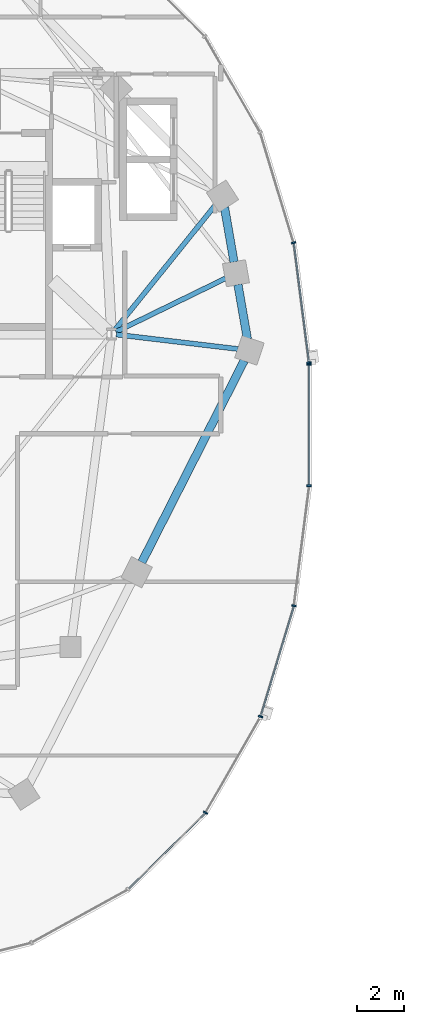
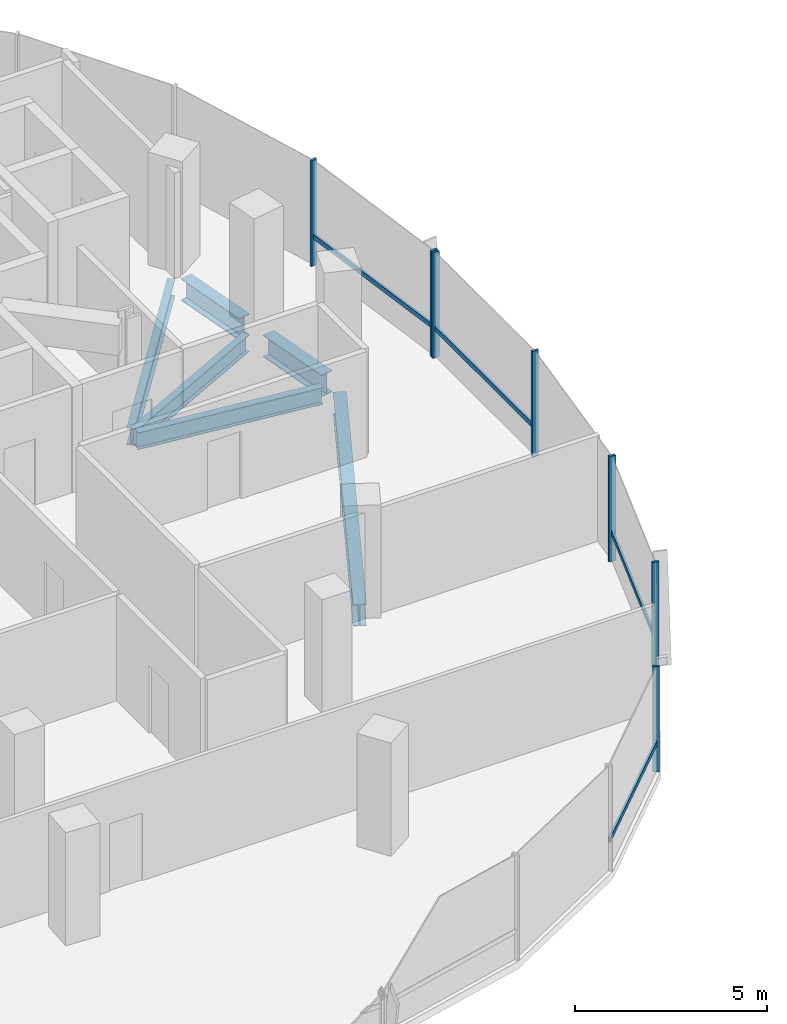
# One storey, part 4 of 23: 11 members, 6 beams, 2 elements without a shape of their own.
"""IFC4 building model written with IfcOpenShell, lengths in metres."""

from ifc_helpers import new_model, si_unit, direction, frame, origin, origin_2d, place, context, subcontext, project, spatial, rectangle, i_section, extrude, material, material_profile, profile_set, type_object, element, aggregate, save


model = new_model("IFC4")

# Units and contexts
model_context = context("Model", 3, precision=1e-05, world=origin(), true_north=direction((0.0, 1.0)))
body_context = subcontext(model_context, "Body", "Model", "MODEL_VIEW")
ifc_project = project(units=[si_unit("LENGTHUNIT", "METRE"), si_unit("AREAUNIT", "SQUARE_METRE"), si_unit("VOLUMEUNIT", "CUBIC_METRE"), si_unit("PLANEANGLEUNIT", "RADIAN"), si_unit("MASSUNIT", "GRAM", prefix="KILO"), si_unit("THERMODYNAMICTEMPERATUREUNIT", "KELVIN"), si_unit("POWERUNIT", "WATT")], contexts=[model_context])

# Site, building, storey
site_placement = place(None, origin())
site = spatial("IfcSite", under=ifc_project, at=site_placement, CompositionType="ELEMENT")
building_placement = place(site_placement, origin())
building = spatial("IfcBuilding", under=site, at=building_placement, Name="Cundina Bronze Exchange", CompositionType="ELEMENT")
storey_placement = place(building_placement, frame((0.0, 0.0, 169.199951171875)))
storey = spatial("IfcBuildingStorey", under=building, at=storey_placement, Name="L44", CompositionType="ELEMENT", Elevation=169.199951171875)

# Beams
ifc_material_1 = material(Name="Steel ASTM A992 Grade 50", Category="steel")
ifc_material_profile_1 = material_profile(ifc_material_1, i_section(OverallWidth=0.2119140625, OverallDepth=0.5439453125, WebThickness=0.01318359375, FlangeThickness=0.021240234375, FilletRadius=0.013916015625, at=origin_2d()), Name="W21X83", Category="steel")
ifc_profile_set_1 = profile_set([ifc_material_profile_1], Name="Steel ASTM A992 Grade 50")
beam_type_1 = type_object("IfcBeamType", Name="BM-FLR-W21A", PredefinedType="BEAM", material=ifc_profile_set_1)
beam_1_placement = place(storey_placement, frame((-21.247314453125, 3.8759765625, -0.511962890625), z_axis=(0.993036158382, -0.11780996624, 0.0), x_axis=(0.11780996624, 0.993036158382, 0.0)))
element("IfcBeam", 1, at=beam_1_placement, inside=storey, type_object=beam_type_1, Name="L44 Leg W Radial Floor Beam 00", PredefinedType="BEAM", context=body_context, shape_type="SweptSolid", body=[
    extrude(i_section(OverallWidth=0.2119140625, OverallDepth=0.5439453125, WebThickness=0.01318359375, FlangeThickness=0.021240234375, FilletRadius=0.013916015625, at=origin_2d()), origin(), (0.0, 0.0, 1.0), 5.249267578125),
])
beam_2_placement = place(storey_placement, frame((-21.2666015625, 3.989501953125, -0.511962890625), z_axis=(0.898604300669, 0.438759969481, 0.0), x_axis=(-0.438759969481, 0.898604300669, 0.0)))
element("IfcBeam", 2, at=beam_2_placement, inside=storey, type_object=beam_type_1, Name="L44 Leg W Radial Floor Beam 01", PredefinedType="BEAM", context=body_context, shape_type="SweptSolid", body=[
    extrude(i_section(OverallWidth=0.2119140625, OverallDepth=0.5439453125, WebThickness=0.01318359375, FlangeThickness=0.021240234375, FilletRadius=0.013916015625, at=origin_2d()), origin(), (0.0, 0.0, 1.0), 5.23388671875),
])
beam_3_placement = place(storey_placement, frame((-21.322021484375, 4.058837890625, -0.511962890625), z_axis=(0.627088684379, 0.778947868553, 0.0), x_axis=(-0.778947868553, 0.627088684379, 0.0)))
element("IfcBeam", 3, at=beam_3_placement, inside=storey, type_object=beam_type_1, Name="L44 Leg W Radial Floor Beam 02", PredefinedType="BEAM", context=body_context, shape_type="SweptSolid", body=[
    extrude(i_section(OverallWidth=0.2119140625, OverallDepth=0.5439453125, WebThickness=0.01318359375, FlangeThickness=0.021240234375, FilletRadius=0.013916015625, at=origin_2d()), origin(), (0.0, 0.0, 1.0), 6.882568359375),
])
ifc_material_profile_2 = material_profile(ifc_material_1, i_section(OverallWidth=0.35498046875, OverallDepth=0.695068359375, WebThickness=0.015380859375, FlangeThickness=0.02490234375, FilletRadius=0.01806640625, at=origin_2d()), Name="W27X146", Category="steel")
ifc_profile_set_2 = profile_set([ifc_material_profile_2], Name="Steel ASTM A992 Grade 50")
beam_type_2 = type_object("IfcBeamType", Name="BM-RING-W27", PredefinedType="USERDEFINED", material=ifc_profile_set_2)
for number, where, z_axis, x_axis, name in (
    (4, (-15.6337890625, 3.680908203125, -0.58740234375), (-0.171666718895, 0.985155083032, 0.0), (-0.985155083032, -0.171666718895, 0.0), "L44 W Perimeter Ring Girder 00"),
    (5, (-16.208740234375, 6.980712890625, -0.58740234375), (-0.171666718895, 0.985155083032, 0.0), (-0.985155083032, -0.171666718895, 0.0), "L44 W Perimeter Ring Girder 01"),
):
    element("IfcBeam", number, at=place(storey_placement, frame(where, z_axis=z_axis, x_axis=x_axis)), inside=storey, type_object=beam_type_2, Name=name, ObjectType="GIRDER", PredefinedType="USERDEFINED", context=body_context, shape_type="SweptSolid", body=[
        extrude(i_section(OverallWidth=0.35498046875, OverallDepth=0.695068359375, WebThickness=0.015380859375, FlangeThickness=0.02490234375, FilletRadius=0.01806640625, at=origin_2d()), origin(), (0.0, 0.0, 1.0), 2.37353515625),
    ])
beam_4_placement = place(storey_placement, frame((-20.154052734375, -5.864990234375, -0.58740234375), z_axis=(0.452834585354, 0.891594548159, 0.0), x_axis=(-0.891594548159, 0.452834585354, 0.0)))
element("IfcBeam", 6, at=beam_4_placement, inside=storey, type_object=beam_type_2, Name="L44 W Perimeter Ring Girder 13", ObjectType="GIRDER", PredefinedType="USERDEFINED", context=body_context, shape_type="SweptSolid", body=[
    extrude(i_section(OverallWidth=0.35498046875, OverallDepth=0.695068359375, WebThickness=0.015380859375, FlangeThickness=0.02490234375, FilletRadius=0.01806640625, at=origin_2d()), origin(), (0.0, 0.0, 1.0), 9.67919921875),
])

# Curtain wall, members
ifc_material_2 = material(Name="Anodised Bronze Aluminium 6063-T6", Category="aluminium")
curtain_wall_type = type_object("IfcCurtainWallType", Name="CWS-WST-PIN", PredefinedType="NOTDEFINED", material=ifc_material_2)
curtain_wall_1_placement = place(storey_placement, origin())
curtain_wall_1 = element("IfcCurtainWall", 7, at=curtain_wall_1_placement, inside=storey, type_object=curtain_wall_type, Name="L44 CW-04 Curtain Wall Run CWR-L44-W1", PredefinedType="NOTDEFINED")
ifc_material_profile_3 = material_profile(ifc_material_2, rectangle(XDim=0.070068359375, YDim=0.18994140625, at=origin_2d()), Name="AL70X190", Category="aluminium")
ifc_profile_set_3 = profile_set([ifc_material_profile_3], Name="Anodised Bronze Aluminium 6063-T6")
member_type_1 = type_object("IfcMemberType", Name="CWM-MUL-190", PredefinedType="MULLION", material=ifc_profile_set_3)
member_1_placement = place(storey_placement, frame((-12.998291015625, 2.676025390625, 0.0), z_axis=(0.0, 0.0, 1.0), x_axis=(-0.126545236492, 0.991960837494, 0.0)))
member_1 = element("IfcMember", 8, at=member_1_placement, type_object=member_type_1, Name="CW-04 Mullion 1", PredefinedType="MULLION", context=body_context, shape_type="SweptSolid", body=[
    extrude(rectangle(XDim=0.070068359375, YDim=0.18994140625, at=origin_2d()), origin(), (0.0, 0.0, 1.0), 3.360107421875),
])
member_2_placement = place(storey_placement, frame((-13.6591796875, 7.80859375, 0.0), z_axis=(0.0, 0.0, 1.0), x_axis=(-0.290034140915, 0.957016299288, 0.0)))
member_2 = element("IfcMember", 9, at=member_2_placement, type_object=member_type_1, Name="CW-04 Mullion 2", PredefinedType="MULLION", context=body_context, shape_type="SweptSolid", body=[
    extrude(rectangle(XDim=0.070068359375, YDim=0.18994140625, at=origin_2d()), origin(), (0.0, 0.0, 1.0), 3.360107421875),
])

curtain_wall_2_placement = place(storey_placement, origin())
curtain_wall_2 = element("IfcCurtainWall", 10, at=curtain_wall_2_placement, inside=storey, type_object=curtain_wall_type, Name="L44 CW-04 Curtain Wall Run CWR-L44-W4", PredefinedType="NOTDEFINED")
member_3_placement = place(storey_placement, frame((-17.42919921875, -16.588134765625, 0.0), z_axis=(0.0, 0.0, 1.0), x_axis=(0.498487739754, 0.866896748936, 0.0)))
member_3 = element("IfcMember", 11, at=member_3_placement, type_object=member_type_1, Name="CW-04 Mullion 4", PredefinedType="MULLION", context=body_context, shape_type="SweptSolid", body=[
    extrude(rectangle(XDim=0.070068359375, YDim=0.18994140625, at=origin_2d()), origin(), (0.0, 0.0, 1.0), 3.360107421875),
])
member_4_placement = place(storey_placement, frame((-15.07373046875, -12.4755859375, 0.0), z_axis=(0.0, 0.0, 1.0), x_axis=(0.290034140915, 0.957016299288, 0.0)))
member_4 = element("IfcMember", 12, at=member_4_placement, type_object=member_type_1, Name="CW-04 Mullion 5", PredefinedType="MULLION", context=body_context, shape_type="SweptSolid", body=[
    extrude(rectangle(XDim=0.070068359375, YDim=0.18994140625, at=origin_2d()), origin(), (0.0, 0.0, 1.0), 3.360107421875),
])
member_5_placement = place(storey_placement, frame((-13.642822265625, -7.731689453125, 0.0), z_axis=(0.0, 0.0, 1.0), x_axis=(0.126545236492, 0.991960837494, 0.0)))
member_5 = element("IfcMember", 13, at=member_5_placement, type_object=member_type_1, Name="CW-04 Mullion 6", PredefinedType="MULLION", context=body_context, shape_type="SweptSolid", body=[
    extrude(rectangle(XDim=0.070068359375, YDim=0.18994140625, at=origin_2d()), origin(), (0.0, 0.0, 1.0), 3.360107421875),
])
member_6_placement = place(storey_placement, frame((-12.992919921875, -2.593017578125, 0.0), z_axis=(0.0, 0.0, 1.0), x_axis=(0.0, 1.0, 0.0)))
member_6 = element("IfcMember", 14, at=member_6_placement, type_object=member_type_1, Name="CW-04 Mullion 7", PredefinedType="MULLION", context=body_context, shape_type="SweptSolid", body=[
    extrude(rectangle(XDim=0.070068359375, YDim=0.18994140625, at=origin_2d()), origin(), (0.0, 0.0, 1.0), 3.360107421875),
])
member_7_placement = place(storey_placement, frame((-12.992919921875, 2.593017578125, 0.0), z_axis=(0.0, 0.0, 1.0), x_axis=(0.0, 1.0, 0.0)))
member_7 = element("IfcMember", 15, at=member_7_placement, type_object=member_type_1, Name="CW-04 End Mullion", PredefinedType="MULLION", context=body_context, shape_type="SweptSolid", body=[
    extrude(rectangle(XDim=0.070068359375, YDim=0.18994140625, at=origin_2d()), origin(), (0.0, 0.0, 1.0), 3.360107421875),
])

# Member
ifc_material_profile_4 = material_profile(ifc_material_2, rectangle(XDim=0.06494140625, YDim=0.14990234375, at=origin_2d()), Name="AL65X150", Category="aluminium")
ifc_profile_set_4 = profile_set([ifc_material_profile_4], Name="Anodised Bronze Aluminium 6063-T6")
member_type_2 = type_object("IfcMemberType", Name="CWM-TRN-150", PredefinedType="USERDEFINED", material=ifc_profile_set_4)
member_8_placement = place(storey_placement, frame((-13.003173828125, 2.71435546875, 0.920166015625), z_axis=(-0.12646340362, 0.991971273548, 0.0), x_axis=(-0.991971273548, -0.12646340362, 0.0)))
member_8 = element("IfcMember", 16, at=member_8_placement, type_object=member_type_2, Name="CW-04 Spandrel Transom 1", ObjectType="TRANSOM", PredefinedType="USERDEFINED", context=body_context, shape_type="SweptSolid", body=[
    extrude(rectangle(XDim=0.06494140625, YDim=0.14990234375, at=origin_2d()), origin(), (0.0, 0.0, 1.0), 5.0966796875),
])

aggregate(curtain_wall_1, [member_1, member_8, member_2])

member_9_placement = place(storey_placement, frame((-20.71337890625, -19.839599609375, 0.920166015625), z_axis=(0.712005023839, 0.702174370102, 0.0), x_axis=(-0.702174370102, 0.712005023839, 0.0)))
member_9 = element("IfcMember", 17, at=member_9_placement, type_object=member_type_2, Name="CW-04 Spandrel Transom 3", ObjectType="TRANSOM", PredefinedType="USERDEFINED", context=body_context, shape_type="SweptSolid", body=[
    extrude(rectangle(XDim=0.06494140625, YDim=0.14990234375, at=origin_2d()), origin(), (0.0, 0.0, 1.0), 4.594482421875),
])

member_10_placement = place(storey_placement, frame((-15.062744140625, -12.43896484375, 0.920166015625), z_axis=(0.290051855969, 0.957010930371, 0.0), x_axis=(-0.957010930371, 0.290051855969, 0.0)))
member_10 = element("IfcMember", 18, at=member_10_placement, type_object=member_type_2, Name="CW-04 Spandrel Transom 5", ObjectType="TRANSOM", PredefinedType="USERDEFINED", context=body_context, shape_type="SweptSolid", body=[
    extrude(rectangle(XDim=0.06494140625, YDim=0.14990234375, at=origin_2d()), origin(), (0.0, 0.0, 1.0), 4.876953125),
])

member_11_placement = place(storey_placement, frame((-12.992919921875, -2.554443359375, 0.920166015625), z_axis=(0.0, 1.0, 0.0), x_axis=(-1.0, 0.0, 0.0)))
member_11 = element("IfcMember", 19, at=member_11_placement, type_object=member_type_2, Name="CW-04 Spandrel Transom 7", ObjectType="TRANSOM", PredefinedType="USERDEFINED", context=body_context, shape_type="SweptSolid", body=[
    extrude(rectangle(XDim=0.06494140625, YDim=0.14990234375, at=origin_2d()), origin(), (0.0, 0.0, 1.0), 5.10888671875),
])

aggregate(curtain_wall_2, [member_9, member_3, member_4, member_10, member_5, member_6, member_7, member_11])

save(model, "model.ifc")
